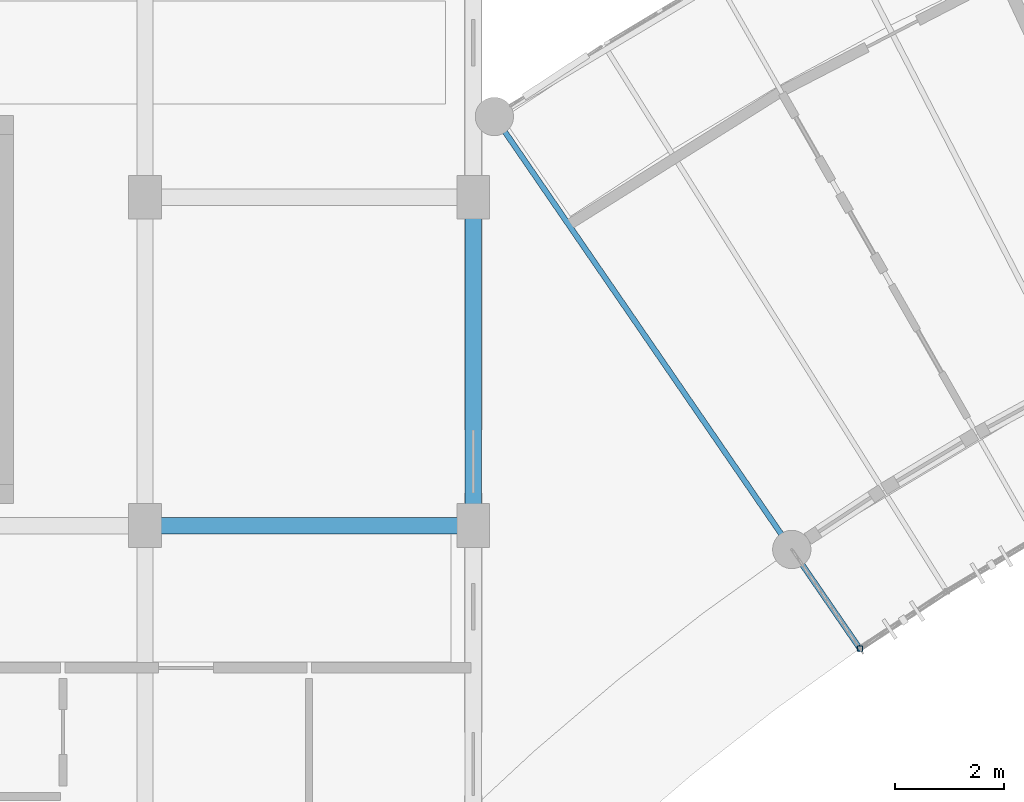
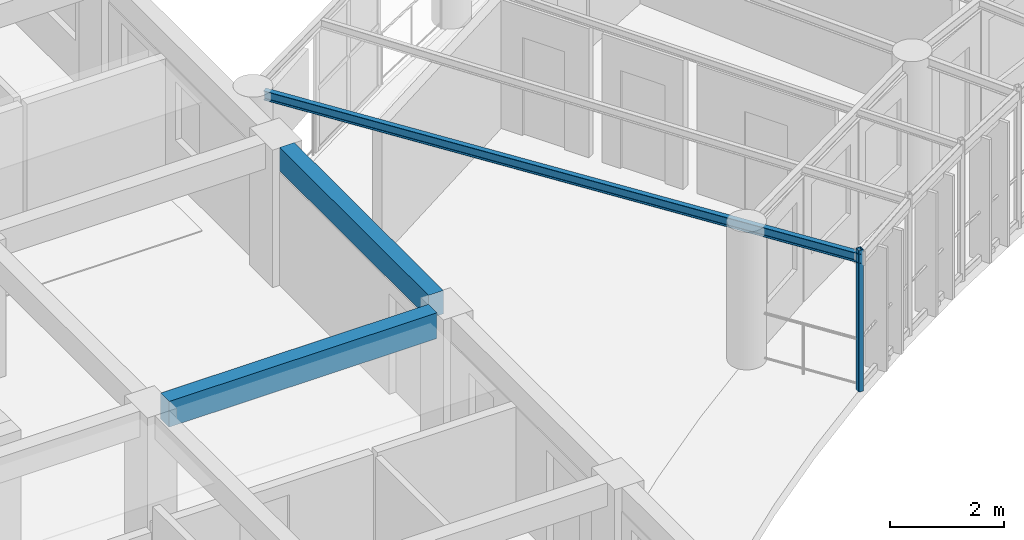
# One storey, part 45 of 137: 3 beams, 1 member.
"""IFC4 building model written with IfcOpenShell, lengths in metres."""

import ifcopenshell
import ifcopenshell.guid

model = None  # the IFC model being written
_history = None  # IfcOwnerHistory: only IFC2X3 demands one
_inside = {}  # id of a spatial element -> (the spatial element, [elements in it])
_under = {}  # id of a project, library or spatial element -> (it, [spatial elements below it])
_declared = {}  # id of a project -> (the project, [libraries it declares])
_typed = {}  # id of a type object -> (the type object, [elements of that type])
_made_of = {}  # id of a material, layer set ... -> (it, [elements and type objects made of it])


def new_model(schema):
    """Start an empty IFC model of exactly this schema.

    Asked for "IFC4X3", IfcOpenShell would pick the latest addendum, in which some entities
    have other attributes; the version numbers below select the first issue.
    IFC2X3 requires an IfcOwnerHistory on every rooted entity: one is made here for all.
    """
    global model, _history
    if schema == "IFC4X3":
        model = ifcopenshell.file(schema_version=(4, 3, 0, 0))
    else:
        model = ifcopenshell.file(schema=schema)
    _inside.clear()
    _under.clear()
    _declared.clear()
    _typed.clear()
    _made_of.clear()
    _history = None
    if model.schema == "IFC2X3":
        org = make("IfcOrganization", Name="unknown")
        user = make(
            "IfcPersonAndOrganization",
            ThePerson=make("IfcPerson", FamilyName="unknown"),
            TheOrganization=org,
        )
        app = make(
            "IfcApplication",
            ApplicationDeveloper=org,
            Version="unknown",
            ApplicationFullName="unknown",
            ApplicationIdentifier="unknown",
        )
        _history = make(
            "IfcOwnerHistory",
            OwningUser=user,
            OwningApplication=app,
            ChangeAction="ADDED",
            CreationDate=0,
        )
    return model


def make(cls, **values):
    """One entity of the class cls with the attributes given. An attribute that is None is left unset."""
    return model.create_entity(
        cls, **{name: value for name, value in values.items() if value is not None}
    )


def rooted(cls, **values):
    """An entity with a GlobalId (a new one), such as an element, a storey or a relation."""
    return make(cls, GlobalId=ifcopenshell.guid.new(), OwnerHistory=_history, **values)


def si_unit(unit_type, name, prefix=None):
    """IfcSIUnit, for example si_unit("LENGTHUNIT", "METRE", prefix="MILLI")."""
    return make("IfcSIUnit", UnitType=unit_type, Prefix=prefix, Name=name)


def assignment(units):
    """IfcUnitAssignment: the units of a project."""
    return None if units is None else make("IfcUnitAssignment", Units=units)


def point(xyz):
    """IfcCartesianPoint."""
    return None if xyz is None else make("IfcCartesianPoint", Coordinates=xyz)


def direction(xyz):
    """IfcDirection."""
    return None if xyz is None else make("IfcDirection", DirectionRatios=xyz)


def frame(location, z_axis=None, x_axis=None):
    """IfcAxis2Placement3D, a coordinate frame: its origin and axes. An axis left out is left unset."""
    return make(
        "IfcAxis2Placement3D",
        Location=point(location),
        Axis=direction(z_axis),
        RefDirection=direction(x_axis),
    )


def frame_2d(location, x_axis=None):
    """IfcAxis2Placement2D, a coordinate frame in the plane: its origin and x axis."""
    return make(
        "IfcAxis2Placement2D", Location=point(location), RefDirection=direction(x_axis)
    )


def origin():
    """The frame at (0, 0, 0) with its axes left unset."""
    return frame((0.0, 0.0, 0.0))


def origin_2d():
    """The frame at (0, 0) in the plane with its x axis left unset."""
    return frame_2d((0.0, 0.0))


def place(relative_to, where):
    """IfcLocalPlacement: puts the frame where relative to a parent placement (None: the world)."""
    return make(
        "IfcLocalPlacement", PlacementRelTo=relative_to, RelativePlacement=where
    )


def context(
    kind, dimensions, precision=None, world=None, true_north=None, identifier=None
):
    """IfcGeometricRepresentationContext, for example the 3D "Model" context."""
    return make(
        "IfcGeometricRepresentationContext",
        ContextIdentifier=identifier,
        ContextType=kind,
        CoordinateSpaceDimension=dimensions,
        Precision=precision,
        WorldCoordinateSystem=world,
        TrueNorth=true_north,
    )


def subcontext(parent, identifier, kind, view, scale=None):
    """IfcGeometricRepresentationSubContext, for example "Body" below "Model"."""
    return make(
        "IfcGeometricRepresentationSubContext",
        ContextIdentifier=identifier,
        ContextType=kind,
        ParentContext=parent,
        TargetScale=scale,
        TargetView=view,
    )


def project(units=None, contexts=None):
    """IfcProject with its units and contexts."""
    return rooted(
        "IfcProject",
        Name="project",
        RepresentationContexts=contexts,
        UnitsInContext=assignment(units),
    )


def spatial(cls, under=None, at=None, **own):
    """A site, building, storey or space (cls), placed at a placement, below another one or the project."""
    s = rooted(cls, ObjectPlacement=at, **own)
    if under is not None:
        _under.setdefault(under.id(), (under, []))[1].append(s)
    return s


def profile(cls, at=None, kind="AREA", **sizes):
    """A parametric profile (cls). Its sizes go by their IFC names, for example OverallWidth=200.0."""
    return make(cls, ProfileType=kind, Position=at, **sizes)


def rectangle(**sizes):
    """IfcRectangleProfileDef."""
    return profile("IfcRectangleProfileDef", **sizes)


def hollow_rectangle(**sizes):
    """IfcRectangleHollowProfileDef."""
    return profile("IfcRectangleHollowProfileDef", **sizes)


def i_section(**sizes):
    """IfcIShapeProfileDef."""
    return profile("IfcIShapeProfileDef", **sizes)


def extrude(swept, where, along, depth):
    """IfcExtrudedAreaSolid: the profile swept, set in the frame where, extruded along a direction by depth."""
    return make(
        "IfcExtrudedAreaSolid",
        SweptArea=swept,
        Position=where,
        ExtrudedDirection=direction(along),
        Depth=depth,
    )


def shape(context_of_items, identifier, shape_type, items):
    """IfcShapeRepresentation: the items that make up one representation, for example the "Body"."""
    return make(
        "IfcShapeRepresentation",
        ContextOfItems=context_of_items,
        RepresentationIdentifier=identifier,
        RepresentationType=shape_type,
        Items=items,
    )


def material(Name=None, Category=None):
    """IfcMaterial."""
    return make("IfcMaterial", Name=Name, Category=Category)


def material_profile(
    of_material, cross_section, Name=None, Category=None, Priority=None
):
    """IfcMaterialProfile: a cross section and its material."""
    return make(
        "IfcMaterialProfile",
        Name=Name,
        Material=of_material,
        Profile=cross_section,
        Priority=Priority,
        Category=Category,
    )


def profile_set(profiles, Name=None, composite=None):
    """IfcMaterialProfileSet."""
    return make(
        "IfcMaterialProfileSet",
        Name=Name,
        MaterialProfiles=profiles,
        CompositeProfile=composite,
    )


def made_of(thing, what):
    """Note that an element or type object is made of a material, layer set ...; save() writes the relation."""
    if what is not None:
        _made_of.setdefault(what.id(), (what, []))[1].append(thing)
    return thing


def type_object(cls, material=None, **own):
    """A type object (cls), such as IfcWallType, which elements share."""
    return made_of(rooted(cls, **own), material)


def element(
    cls,
    number,
    at=None,
    inside=None,
    cuts=None,
    type_object=None,
    material=None,
    context=None,
    identifier="Body",
    shape_type=None,
    held_by="IfcProductDefinitionShape",
    body=None,
    shapes=None,
    **own,
):
    """One element of the class cls, such as IfcWall. Its Tag is "e" and its number.

    at: its placement. inside: the storey or other place that contains it. cuts: it is an
    opening in that element (IfcRelVoidsElement). A single representation is given by context,
    identifier, shape_type and body (its items); several are given by shapes. held_by: the class
    of the entity that holds the representations. save() writes the other relations.
    """
    e = rooted(cls, Tag="e%d" % number, ObjectPlacement=at, **own)
    if body is not None:
        shapes = [shape(context, identifier, shape_type, body)]
    if shapes is not None:
        e.Representation = make(held_by, Representations=shapes)
    if inside is not None:
        _inside.setdefault(inside.id(), (inside, []))[1].append(e)
    if cuts is not None:
        rooted(
            "IfcRelVoidsElement", RelatingBuildingElement=cuts, RelatedOpeningElement=e
        )
    if type_object is not None:
        _typed.setdefault(type_object.id(), (type_object, []))[1].append(e)
    return made_of(e, material)


def aggregate(whole, parts):
    """IfcRelAggregates: a whole, such as a stair, and the parts it consists of."""
    return rooted("IfcRelAggregates", RelatingObject=whole, RelatedObjects=parts)


def save(model, path):
    """Write the relations noted so far, then the file.

    IfcRelAggregates (storeys below a building ...), IfcRelContainedInSpatialStructure (elements
    in a storey), IfcRelDefinesByType, IfcRelAssociatesMaterial and IfcRelDeclares: one each for
    every whole, place, type object, material and project.
    """
    for whole, parts in _under.values():
        aggregate(whole, parts)
    for where, things in _inside.values():
        rooted(
            "IfcRelContainedInSpatialStructure",
            RelatedElements=things,
            RelatingStructure=where,
        )
    for kind, things in _typed.values():
        rooted("IfcRelDefinesByType", RelatedObjects=things, RelatingType=kind)
    for what, things in _made_of.values():
        rooted("IfcRelAssociatesMaterial", RelatedObjects=things, RelatingMaterial=what)
    for by, libraries in _declared.values():
        rooted("IfcRelDeclares", RelatingContext=by, RelatedDefinitions=libraries)
    model.write(path)


model = new_model("IFC4")

# Units and contexts
model_context = context("Model", 3, precision=1e-05, world=origin(), true_north=direction((0.0, 1.0)))
body_context = subcontext(model_context, "Body", "Model", "MODEL_VIEW")
ifc_project = project(units=[si_unit("LENGTHUNIT", "METRE"), si_unit("AREAUNIT", "SQUARE_METRE"), si_unit("VOLUMEUNIT", "CUBIC_METRE"), si_unit("PLANEANGLEUNIT", "RADIAN"), si_unit("MASSUNIT", "GRAM", prefix="KILO"), si_unit("POWERUNIT", "WATT"), si_unit("THERMODYNAMICTEMPERATUREUNIT", "KELVIN")], contexts=[model_context])

# Site, building, storey
site_placement = place(None, origin())
site = spatial("IfcSite", under=ifc_project, at=site_placement, CompositionType="ELEMENT")
building_placement = place(site_placement, origin())
building = spatial("IfcBuilding", under=site, at=building_placement, Name="Ruvembo Vaulted Housing Court", CompositionType="ELEMENT")
storey_placement = place(building_placement, frame((0.0, 0.0, 4.5)))
storey = spatial("IfcBuildingStorey", under=building, at=storey_placement, Name="L01", CompositionType="ELEMENT", Elevation=4.5)

# Beams
ifc_material_1 = material(Name="Concrete C35/45", Category="concrete")
ifc_material_profile_1 = material_profile(ifc_material_1, rectangle(XDim=0.300048828125, YDim=0.550048828125, at=origin_2d()), Name="RC 300x550")
ifc_profile_set_1 = profile_set([ifc_material_profile_1], Name="Concrete C35/45")
beam_type_1 = type_object("IfcBeamType", Name="BM-RC-300x550", PredefinedType="BEAM", material=ifc_profile_set_1)
beam_1_placement = place(storey_placement, frame((78.284912109375, 90.0, 2.669921875), z_axis=(1.0, 0.0, 0.0), x_axis=(0.0, 1.0, 0.0)))
element("IfcBeam", 1, at=beam_1_placement, inside=storey, type_object=beam_type_1, Name="L01 Grid Beam X #1269", PredefinedType="BEAM", context=body_context, shape_type="SweptSolid", body=[
    extrude(rectangle(XDim=0.300048828125, YDim=0.550048828125, at=origin_2d()), origin(), (0.0, 0.0, 1.0), 5.43017578125),
])
ifc_material_2 = material(Name="Steel S355J2", Category="steel")
ifc_material_profile_2 = material_profile(ifc_material_2, i_section(OverallWidth=0.10009765625, OverallDepth=0.199951171875, WebThickness=0.005615234375, FlangeThickness=0.008544921875, FilletRadius=0.011962890625, at=origin_2d()), Name="IPE 200")
ifc_profile_set_2 = profile_set([ifc_material_profile_2], Name="Steel S355J2")
beam_type_2 = type_object("IfcBeamType", Name="BM-ST-IPE200", PredefinedType="BEAM", material=ifc_profile_set_2)
beam_2_placement = place(storey_placement, frame((84.516357421875, 97.287841796875, 2.840087890625), z_axis=(0.566205714572, -0.824263967905, 0.0), x_axis=(0.824263967905, 0.566205714572, 0.0)))
element("IfcBeam", 2, at=beam_2_placement, inside=storey, type_object=beam_type_2, Name="Scoop SC3 L01 Radial Steel Joist 0", PredefinedType="BEAM", context=body_context, shape_type="SweptSolid", body=[
    extrude(i_section(OverallWidth=0.10009765625, OverallDepth=0.199951171875, WebThickness=0.005615234375, FlangeThickness=0.008544921875, FilletRadius=0.011962890625, at=origin_2d()), origin(), (0.0, 0.0, 1.0), 11.610107421875),
])

# Member
ifc_material_profile_3 = material_profile(ifc_material_2, hollow_rectangle(XDim=0.10009765625, YDim=0.10009765625, WallThickness=0.00634765625, InnerFilletRadius=0.00634765625, OuterFilletRadius=0.0126953125, at=origin_2d()), Name="SHS 100x100x6.3")
ifc_profile_set_3 = profile_set([ifc_material_profile_3], Name="Steel S355J2")
member_type = type_object("IfcMemberType", Name="MEM-FRM-SHS100", PredefinedType="STRUT", material=ifc_profile_set_3)
member_placement = place(storey_placement, frame((91.0673828125, 87.751220703125, -0.014892578125), z_axis=(0.0, 0.0, 1.0), x_axis=(1.0, 0.0, 0.0)))
element("IfcMember", 3, at=member_placement, inside=storey, type_object=member_type, Name="Scoop SC3 L01 Louvre Frame Post 0", PredefinedType="STRUT", context=body_context, shape_type="SweptSolid", body=[
    extrude(hollow_rectangle(XDim=0.10009765625, YDim=0.10009765625, WallThickness=0.00634765625, InnerFilletRadius=0.00634765625, OuterFilletRadius=0.0126953125, at=origin_2d()), origin(), (0.0, 0.0, 1.0), 3.032958984375),
])

# Beam
ifc_material_profile_4 = material_profile(ifc_material_1, rectangle(XDim=0.300048828125, YDim=0.5, at=origin_2d()), Name="RC 300x500")
ifc_profile_set_4 = profile_set([ifc_material_profile_4], Name="Concrete C35/45")
beam_type_3 = type_object("IfcBeamType", Name="SP-RC-300x500", PredefinedType="SPANDREL", material=ifc_profile_set_4)
beam_3_placement = place(storey_placement, frame((84.0, 90.385009765625, 2.695068359375), z_axis=(0.0, 1.0, 0.0), x_axis=(-1.0, 0.0, 0.0)))
element("IfcBeam", 4, at=beam_3_placement, inside=storey, type_object=beam_type_3, Name="L01 Grid Beam Y #1378", PredefinedType="SPANDREL", context=body_context, shape_type="SweptSolid", body=[
    extrude(rectangle(XDim=0.300048828125, YDim=0.5, at=origin_2d()), origin(), (0.0, 0.0, 1.0), 5.22998046875),
])

save(model, "model.ifc")
